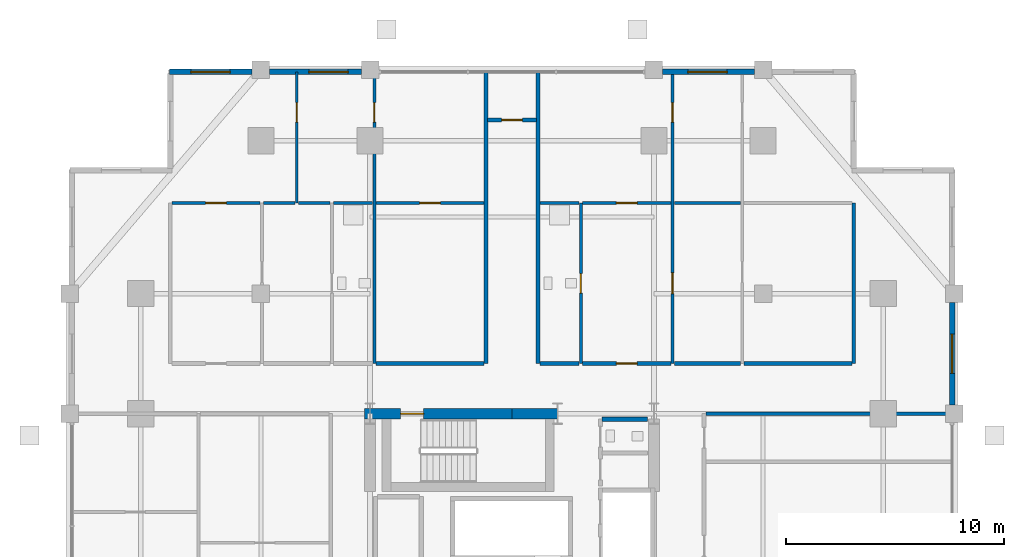
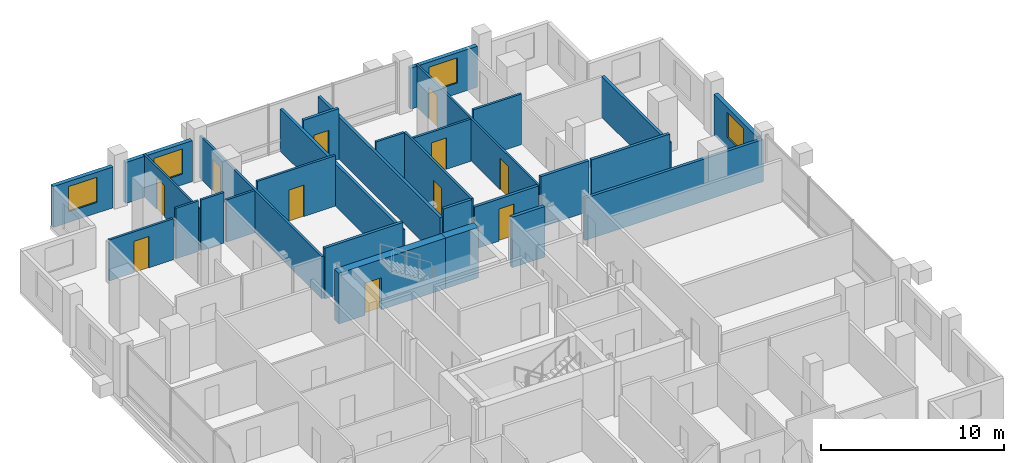
# One storey, part 17 of 20: 29 walls, 11 doors, 4 windows, 15 openings.
"""IFC4 building model written with IfcOpenShell, lengths in metres."""

from ifc_helpers import new_model, si_unit, direction, frame, frame_2d, origin, place, context, subcontext, project, spatial, rectangle, extrude, material, layer, layer_set, type_object, element, fill, save


model = new_model("IFC4")

# Units and contexts
model_context = context("Model", 3, precision=1e-05, world=origin(), true_north=direction((0.0, 1.0)))
body_context = subcontext(model_context, "Body", "Model", "MODEL_VIEW")
ifc_project = project(units=[si_unit("LENGTHUNIT", "METRE"), si_unit("AREAUNIT", "SQUARE_METRE"), si_unit("VOLUMEUNIT", "CUBIC_METRE"), si_unit("PLANEANGLEUNIT", "RADIAN"), si_unit("MASSUNIT", "GRAM", prefix="KILO")], contexts=[model_context])

# Site, building, storey
site_placement = place(None, origin())
site = spatial("IfcSite", under=ifc_project, at=site_placement, CompositionType="ELEMENT")
building_placement = place(site_placement, origin())
building = spatial("IfcBuilding", under=site, at=building_placement, Name="Barlavira Tower and Art Museum", CompositionType="ELEMENT")
storey_placement = place(building_placement, frame((0.0, 0.0, 136.800048828125)))
storey = spatial("IfcBuildingStorey", under=building, at=storey_placement, Name="L34", CompositionType="ELEMENT", Elevation=136.800048828125)

# Wall, opening, door
ifc_material_1 = material(Name="Gypsum acoustic stud partition", Category="gypsum")
ifc_layer_1 = layer(ifc_material_1, 0.1201171875, Name="Gypsum acoustic stud partition")
ifc_layer_set_1 = layer_set([ifc_layer_1], Name="Gypsum acoustic stud partition")
wall_type_1 = type_object("IfcWallType", Name="Apartment Internal Acoustic Partition 120", PredefinedType="PARTITIONING", material=ifc_layer_set_1)
wall_1_placement = place(storey_placement, frame((-9.85009765625, 17.14990234375, 0.0), z_axis=(0.0, 0.0, 1.0), x_axis=(0.0, 1.0, 0.0)))
wall_1 = element("IfcWall", 1, at=wall_1_placement, inside=storey, type_object=wall_type_1, Name="L34 Partition Wall 7", PredefinedType="PARTITIONING", context=body_context, shape_type="SweptSolid", body=[
    extrude(rectangle(XDim=6.0, YDim=0.1201171875, at=frame_2d((3.0, 0.0))), origin(), (0.0, 0.0, 1.0), 2.81591796875),
])
opening_1_placement = place(wall_1_placement, frame((3.701171875, 0.0, 0.0)))
opening_1 = element("IfcOpeningElement", 2, at=opening_1_placement, cuts=wall_1, Name="Opening D-01", PredefinedType="OPENING", context=body_context, shape_type="SweptSolid", body=[
    extrude(rectangle(XDim=0.89990234375, YDim=2.10009765625, at=frame_2d((0.449951171875, 1.050048828125))), frame((0.0, 0.070068359375, 0.0), z_axis=(0.0, -1.0, 0.0), x_axis=(1.0, 0.0, 0.0)), (0.0, 0.0, 1.0), 0.14013671875),
])
ifc_material_2 = material(Name="Engineered coastal hardwood", Category="wood")
door_type_1 = type_object("IfcDoorType", Name="Internal Bedroom Timber Flush Door 900x2100", OperationType="NOTDEFINED", PredefinedType="DOOR", material=ifc_material_2)
door_1_placement = place(opening_1_placement, origin())
door_1 = element("IfcDoor", 3, at=door_1_placement, inside=storey, type_object=door_type_1, Name="Apartment NW1 Bedroom 1 Door", OperationType="SINGLE_SWING_LEFT", OverallHeight=2.10009765625, OverallWidth=0.89990234375, PredefinedType="DOOR", context=body_context, shape_type="SweptSolid", body=[
    extrude(rectangle(XDim=0.89990234375, YDim=2.10009765625, at=frame_2d((0.449951171875, 1.050048828125))), frame((0.0, 0.02490234375, 0.0), z_axis=(0.0, -1.0, 0.0), x_axis=(1.0, 0.0, 0.0)), (0.0, 0.0, 1.0), 0.050048828125),
])
fill(opening_1, door_1)

# Wall, openings, doors
wall_2_placement = place(storey_placement, frame((7.35009765625, 9.800048828125, 0.0), z_axis=(0.0, 0.0, 1.0), x_axis=(0.0, 1.0, 0.0)))
wall_2 = element("IfcWall", 4, at=wall_2_placement, inside=storey, type_object=wall_type_1, Name="L34 Partition Wall 23", PredefinedType="PARTITIONING", context=body_context, shape_type="SweptSolid", body=[
    extrude(rectangle(XDim=13.349853515625, YDim=0.1201171875, at=frame_2d((6.6748046875, 0.0))), origin(), (0.0, 0.0, 1.0), 2.81591796875),
])
opening_2_placement = place(wall_2_placement, frame((3.195068359375, 0.0, 0.0)))
opening_2 = element("IfcOpeningElement", 5, at=opening_2_placement, cuts=wall_2, Name="Opening D-02", PredefinedType="OPENING", context=body_context, shape_type="SweptSolid", body=[
    extrude(rectangle(XDim=0.949951171875, YDim=2.10009765625, at=frame_2d((0.47509765625, 1.050048828125))), frame((0.0, 0.070068359375, 0.0), z_axis=(0.0, -1.0, 0.0), x_axis=(1.0, 0.0, 0.0)), (0.0, 0.0, 1.0), 0.14013671875),
])
opening_3_placement = place(wall_2_placement, frame((11.051025390625, 0.0, 0.0)))
opening_3 = element("IfcOpeningElement", 6, at=opening_3_placement, cuts=wall_2, Name="Opening D-01", PredefinedType="OPENING", context=body_context, shape_type="SweptSolid", body=[
    extrude(rectangle(XDim=0.89990234375, YDim=2.10009765625, at=frame_2d((0.449951171875, 1.050048828125))), frame((0.0, 0.070068359375, 0.0), z_axis=(0.0, -1.0, 0.0), x_axis=(1.0, 0.0, 0.0)), (0.0, 0.0, 1.0), 0.14013671875),
])
door_2_placement = place(opening_3_placement, origin())
door_2 = element("IfcDoor", 7, at=door_2_placement, inside=storey, type_object=door_type_1, Name="Apartment NE1 Bedroom 1 Door", OperationType="SINGLE_SWING_RIGHT", OverallHeight=2.10009765625, OverallWidth=0.89990234375, PredefinedType="DOOR", context=body_context, shape_type="SweptSolid", body=[
    extrude(rectangle(XDim=0.89990234375, YDim=2.10009765625, at=frame_2d((0.449951171875, 1.050048828125))), frame((0.0, 0.02490234375, 0.0), z_axis=(0.0, -1.0, 0.0), x_axis=(1.0, 0.0, 0.0)), (0.0, 0.0, 1.0), 0.050048828125),
])
fill(opening_3, door_2)
door_type_2 = type_object("IfcDoorType", Name="Living and Salon Glazed-Leaf Door 950x2100", OperationType="NOTDEFINED", PredefinedType="DOOR", material=ifc_material_2)
door_3_placement = place(opening_2_placement, origin())
door_3 = element("IfcDoor", 8, at=door_3_placement, inside=storey, type_object=door_type_2, Name="Apartment NE1 Kitchen Door", OperationType="SINGLE_SWING_LEFT", OverallHeight=2.10009765625, OverallWidth=0.949951171875, PredefinedType="DOOR", context=body_context, shape_type="SweptSolid", body=[
    extrude(rectangle(XDim=0.949951171875, YDim=2.10009765625, at=frame_2d((0.47509765625, 1.050048828125))), frame((0.0, 0.02490234375, 0.0), z_axis=(0.0, -1.0, 0.0), x_axis=(1.0, 0.0, 0.0)), (0.0, 0.0, 1.0), 0.050048828125),
])
fill(opening_2, door_3)

# Wall, opening, door
ifc_material_3 = material(Name="Concrete C60", Category="concrete")
ifc_layer_2 = layer(ifc_material_3, 0.5, Name="Concrete C60")
ifc_layer_set_2 = layer_set([ifc_layer_2], Name="Concrete C60")
wall_type_2 = type_object("IfcWallType", Name="Core Structural Shear Wall 500 Concrete C60", PredefinedType="SHEAR", material=ifc_layer_set_2)
wall_3_placement = place(storey_placement, frame((-6.75, 7.5, 0.0), z_axis=(0.0, 0.0, 1.0), x_axis=(1.0, 0.0, 0.0)))
wall_3 = element("IfcWall", 9, at=wall_3_placement, inside=storey, type_object=wall_type_2, Name="L34 Core Shear Wall CS-NW", PredefinedType="SHEAR", context=body_context, shape_type="SweptSolid", body=[
    extrude(rectangle(XDim=6.75, YDim=0.5, at=frame_2d((3.375, 0.0))), origin(), (0.0, 0.0, 1.0), 3.3798828125),
])
opening_4_placement = place(wall_3_placement, frame((1.64990234375, 0.0, 0.0)))
opening_4 = element("IfcOpeningElement", 10, at=opening_4_placement, cuts=wall_3, Name="Opening FD-90", PredefinedType="OPENING", context=body_context, shape_type="SweptSolid", body=[
    extrude(rectangle(XDim=1.050048828125, YDim=2.14990234375, at=frame_2d((0.52490234375, 1.074951171875))), frame((0.0, 0.260009765625, 0.0), z_axis=(0.0, -1.0, 0.0), x_axis=(1.0, 0.0, 0.0)), (0.0, 0.0, 1.0), 0.52001953125),
])
ifc_material_4 = material(Name="Brushed stainless steel", Category="steel")
door_type_3 = type_object("IfcDoorType", Name="Stair and Refuge Fire Door 1050x2150 FD90S", OperationType="NOTDEFINED", PredefinedType="DOOR", material=ifc_material_4)
door_4_placement = place(opening_4_placement, origin())
door_4 = element("IfcDoor", 11, at=door_4_placement, inside=storey, type_object=door_type_3, Name="L34 Stair ST-T2 Fire Door", OperationType="SINGLE_SWING_LEFT", OverallHeight=2.14990234375, OverallWidth=1.050048828125, PredefinedType="DOOR", context=body_context, shape_type="SweptSolid", body=[
    extrude(rectangle(XDim=1.050048828125, YDim=2.14990234375, at=frame_2d((0.52490234375, 1.074951171875))), frame((0.0, 0.02490234375, 0.0), z_axis=(0.0, -1.0, 0.0), x_axis=(1.0, 0.0, 0.0)), (0.0, 0.0, 1.0), 0.050048828125),
])
fill(opening_4, door_4)

# Walls
wall_4_placement = place(storey_placement, frame((0.0, 7.5, 0.0), z_axis=(0.0, 0.0, 1.0), x_axis=(1.0, 0.0, 0.0)))
element("IfcWall", 12, at=wall_4_placement, inside=storey, type_object=wall_type_2, Name="L34 Core Shear Wall CS-EN", PredefinedType="SHEAR", context=body_context, shape_type="SweptSolid", body=[
    extrude(rectangle(XDim=2.080078125, YDim=0.5, at=frame_2d((1.0400390625, 0.0))), origin(), (0.0, 0.0, 1.0), 3.3798828125),
])
ifc_material_5 = material(Name="Autoclaved aerated concrete masonry", Category="masonry")
ifc_layer_3 = layer(ifc_material_5, 0.199951171875, Name="Autoclaved aerated concrete masonry")
ifc_layer_set_3 = layer_set([ifc_layer_3], Name="Autoclaved aerated concrete masonry")
wall_type_3 = type_object("IfcWallType", Name="Fire Compartment and Shaft Wall 200", PredefinedType="SOLIDWALL", material=ifc_layer_set_3)
wall_5_placement = place(storey_placement, frame((4.1298828125, 7.25, 0.0), z_axis=(0.0, 0.0, 1.0), x_axis=(1.0, 0.0, 0.0)))
element("IfcWall", 13, at=wall_5_placement, inside=storey, type_object=wall_type_3, Name="L34 Partition Wall 60", PredefinedType="SOLIDWALL", context=body_context, shape_type="SweptSolid", body=[
    extrude(rectangle(XDim=2.070068359375, YDim=0.199951171875, at=frame_2d((1.03515625, 0.0))), origin(), (0.0, 0.0, 1.0), 3.3798828125),
])
ifc_layer_4 = layer(ifc_material_1, 0.179931640625, Name="Gypsum acoustic stud partition")
ifc_layer_set_4 = layer_set([ifc_layer_4], Name="Gypsum acoustic stud partition")
wall_type_4 = type_object("IfcWallType", Name="Inter-Tenancy Party Partition Wall 180", PredefinedType="PARTITIONING", material=ifc_layer_set_4)
for number, where, z_axis, x_axis, name in (
    (14, (-1.199951171875, 9.800048828125, 0.0), (0.0, 0.0, 1.0), (0.0, 1.0, 0.0), "L34 Partition Wall 16"),
    (15, (1.199951171875, 9.800048828125, 0.0), (0.0, 0.0, 1.0), (0.0, 1.0, 0.0), "L34 Partition Wall 18"),
):
    element("IfcWall", number, at=place(storey_placement, frame(where, z_axis=z_axis, x_axis=x_axis)), inside=storey, type_object=wall_type_4, Name=name, PredefinedType="PARTITIONING", context=body_context, shape_type="SweptSolid", body=[
        extrude(rectangle(XDim=13.349853515625, YDim=0.179931640625, at=frame_2d((6.6748046875, 0.0))), origin(), (0.0, 0.0, 1.0), 2.81591796875),
    ])
wall_6_placement = place(storey_placement, frame((15.64990234375, 9.800048828125, 0.0), z_axis=(0.0, 0.0, 1.0), x_axis=(0.0, 1.0, 0.0)))
element("IfcWall", 16, at=wall_6_placement, inside=storey, type_object=wall_type_4, Name="L34 Partition Wall 28", PredefinedType="PARTITIONING", context=body_context, shape_type="SweptSolid", body=[
    extrude(rectangle(XDim=7.349853515625, YDim=0.179931640625, at=frame_2d((3.6748046875, 0.0))), origin(), (0.0, 0.0, 1.0), 2.73583984375),
])
wall_7_placement = place(storey_placement, frame((8.8798828125, 7.5, 0.0), z_axis=(0.0, 0.0, 1.0), x_axis=(1.0, 0.0, 0.0)))
element("IfcWall", 17, at=wall_7_placement, inside=storey, type_object=wall_type_4, Name="L34 Partition Wall 63", PredefinedType="PARTITIONING", context=body_context, shape_type="SweptSolid", body=[
    extrude(rectangle(XDim=11.27001953125, YDim=0.179931640625, at=frame_2d((5.635009765625, 0.0))), origin(), (0.0, 0.0, 1.0), 2.81591796875),
])
wall_8_placement = place(storey_placement, frame((-6.219970703125, 9.800048828125, 0.0), z_axis=(0.0, 0.0, 1.0), x_axis=(1.0, 0.0, 0.0)))
element("IfcWall", 18, at=wall_8_placement, inside=storey, type_object=wall_type_4, Name="L34 Partition Wall 67", PredefinedType="PARTITIONING", context=body_context, shape_type="SweptSolid", body=[
    extrude(rectangle(XDim=4.93994140625, YDim=0.179931640625, at=frame_2d((2.469970703125, 0.0))), origin(), (0.0, 0.0, 1.0), 3.3798828125),
])
wall_9_placement = place(storey_placement, frame((1.280029296875, 9.800048828125, 0.0), z_axis=(0.0, 0.0, 1.0), x_axis=(1.0, 0.0, 0.0)))
element("IfcWall", 19, at=wall_9_placement, inside=storey, type_object=wall_type_4, Name="L34 Partition Wall 68", PredefinedType="PARTITIONING", context=body_context, shape_type="SweptSolid", body=[
    extrude(rectangle(XDim=1.7900390625, YDim=0.179931640625, at=frame_2d((0.89501953125, 0.0))), origin(), (0.0, 0.0, 1.0), 3.3798828125),
])

# Wall, opening, door
wall_10_placement = place(storey_placement, frame((3.22998046875, 9.800048828125, 0.0), z_axis=(0.0, 0.0, 1.0), x_axis=(1.0, 0.0, 0.0)))
wall_10 = element("IfcWall", 20, at=wall_10_placement, inside=storey, type_object=wall_type_4, Name="L34 Partition Wall 69", PredefinedType="PARTITIONING", context=body_context, shape_type="SweptSolid", body=[
    extrude(rectangle(XDim=4.0400390625, YDim=0.179931640625, at=frame_2d((2.02001953125, 0.0))), origin(), (0.0, 0.0, 1.0), 2.81591796875),
])
opening_5_placement = place(wall_10_placement, frame((1.544921875, 0.0, 0.0)))
opening_5 = element("IfcOpeningElement", 21, at=opening_5_placement, cuts=wall_10, Name="Opening FD-60", PredefinedType="OPENING", context=body_context, shape_type="SweptSolid", body=[
    extrude(rectangle(XDim=0.949951171875, YDim=2.14990234375, at=frame_2d((0.47509765625, 1.074951171875))), frame((0.0, 0.10009765625, 0.0), z_axis=(0.0, -1.0, 0.0), x_axis=(1.0, 0.0, 0.0)), (0.0, 0.0, 1.0), 0.199951171875),
])
door_type_4 = type_object("IfcDoorType", Name="Apartment Entrance and Riser Fire Door 950x2150 FD60S", OperationType="NOTDEFINED", PredefinedType="DOOR", material=ifc_material_4)
door_5_placement = place(opening_5_placement, origin())
door_5 = element("IfcDoor", 22, at=door_5_placement, inside=storey, type_object=door_type_4, Name="Apartment Entrance Hall NE1 Door", OperationType="SINGLE_SWING_RIGHT", OverallHeight=2.14990234375, OverallWidth=0.949951171875, PredefinedType="DOOR", context=body_context, shape_type="SweptSolid", body=[
    extrude(rectangle(XDim=0.949951171875, YDim=2.14990234375, at=frame_2d((0.47509765625, 1.074951171875))), frame((0.0, 0.02490234375, 0.0), z_axis=(0.0, -1.0, 0.0), x_axis=(1.0, 0.0, 0.0)), (0.0, 0.0, 1.0), 0.050048828125),
])
fill(opening_5, door_5)

# Walls
wall_11_placement = place(storey_placement, frame((7.429931640625, 9.800048828125, 0.0), z_axis=(0.0, 0.0, 1.0), x_axis=(1.0, 0.0, 0.0)))
element("IfcWall", 23, at=wall_11_placement, inside=storey, type_object=wall_type_4, Name="L34 Partition Wall 70", PredefinedType="PARTITIONING", context=body_context, shape_type="SweptSolid", body=[
    extrude(rectangle(XDim=3.0400390625, YDim=0.179931640625, at=frame_2d((1.52001953125, 0.0))), origin(), (0.0, 0.0, 1.0), 3.3798828125),
])
wall_12_placement = place(storey_placement, frame((10.6298828125, 9.800048828125, 0.0), z_axis=(0.0, 0.0, 1.0), x_axis=(1.0, 0.0, 0.0)))
element("IfcWall", 24, at=wall_12_placement, inside=storey, type_object=wall_type_4, Name="L34 Partition Wall 71", PredefinedType="PARTITIONING", context=body_context, shape_type="SweptSolid", body=[
    extrude(rectangle(XDim=4.940185546875, YDim=0.179931640625, at=frame_2d((2.47021484375, 0.0))), origin(), (0.0, 0.0, 1.0), 3.3798828125),
])

# Wall, opening, door
wall_13_placement = place(storey_placement, frame((-1.1201171875, 20.949951171875, 0.0), z_axis=(0.0, 0.0, 1.0), x_axis=(1.0, 0.0, 0.0)))
wall_13 = element("IfcWall", 25, at=wall_13_placement, inside=storey, type_object=wall_type_4, Name="L34 Partition Wall 81", PredefinedType="PARTITIONING", context=body_context, shape_type="SweptSolid", body=[
    extrude(rectangle(XDim=2.240234375, YDim=0.179931640625, at=frame_2d((1.1201171875, 0.0))), origin(), (0.0, 0.0, 1.0), 3.3798828125),
])
opening_6_placement = place(wall_13_placement, frame((0.64501953125, 0.0, 0.0)))
opening_6 = element("IfcOpeningElement", 26, at=opening_6_placement, cuts=wall_13, Name="Opening FD-60", PredefinedType="OPENING", context=body_context, shape_type="SweptSolid", body=[
    extrude(rectangle(XDim=0.949951171875, YDim=2.14990234375, at=frame_2d((0.47509765625, 1.074951171875))), frame((0.0, 0.10009765625, 0.0), z_axis=(0.0, -1.0, 0.0), x_axis=(1.0, 0.0, 0.0)), (0.0, 0.0, 1.0), 0.199951171875),
])
door_6_placement = place(opening_6_placement, origin())
door_6 = element("IfcDoor", 27, at=door_6_placement, inside=storey, type_object=door_type_4, Name="L34 North Ocean Alcove Door", OperationType="SINGLE_SWING_LEFT", OverallHeight=2.14990234375, OverallWidth=0.949951171875, PredefinedType="DOOR", context=body_context, shape_type="SweptSolid", body=[
    extrude(rectangle(XDim=0.949951171875, YDim=2.14990234375, at=frame_2d((0.47509765625, 1.074951171875))), frame((0.0, 0.02490234375, 0.0), z_axis=(0.0, -1.0, 0.0), x_axis=(1.0, 0.0, 0.0)), (0.0, 0.0, 1.0), 0.050048828125),
])
fill(opening_6, door_6)

ifc_layer_5 = layer(ifc_material_1, 0.139892578125, Name="Gypsum acoustic stud partition")
ifc_layer_set_5 = layer_set([ifc_layer_5], Name="Gypsum acoustic stud partition")
wall_type_5 = type_object("IfcWallType", Name="Moisture-Resistant Bathroom Partition 140", PredefinedType="PARTITIONING", material=ifc_layer_set_5)
wall_14_placement = place(storey_placement, frame((-6.300048828125, 9.800048828125, 0.0), z_axis=(0.0, 0.0, 1.0), x_axis=(0.0, 1.0, 0.0)))
wall_14 = element("IfcWall", 28, at=wall_14_placement, inside=storey, type_object=wall_type_5, Name="L34 Partition Wall 12", PredefinedType="PARTITIONING", context=body_context, shape_type="SweptSolid", body=[
    extrude(rectangle(XDim=13.349853515625, YDim=0.139892578125, at=frame_2d((6.6748046875, 0.0))), origin(), (0.0, 0.0, 1.0), 2.81591796875),
])
opening_7_placement = place(wall_14_placement, frame((11.051025390625, 0.0, 0.0)))
opening_7 = element("IfcOpeningElement", 29, at=opening_7_placement, cuts=wall_14, Name="Opening D-01", PredefinedType="OPENING", context=body_context, shape_type="SweptSolid", body=[
    extrude(rectangle(XDim=0.89990234375, YDim=2.10009765625, at=frame_2d((0.449951171875, 1.050048828125))), frame((0.0, 0.080078125, 0.0), z_axis=(0.0, -1.0, 0.0), x_axis=(1.0, 0.0, 0.0)), (0.0, 0.0, 1.0), 0.159912109375),
])
door_7_placement = place(opening_7_placement, origin())
door_7 = element("IfcDoor", 30, at=door_7_placement, inside=storey, type_object=door_type_1, Name="Apartment NW1 Bedroom 2 Door", OperationType="SINGLE_SWING_RIGHT", OverallHeight=2.10009765625, OverallWidth=0.89990234375, PredefinedType="DOOR", context=body_context, shape_type="SweptSolid", body=[
    extrude(rectangle(XDim=0.89990234375, YDim=2.10009765625, at=frame_2d((0.449951171875, 1.050048828125))), frame((0.0, 0.02490234375, 0.0), z_axis=(0.0, -1.0, 0.0), x_axis=(1.0, 0.0, 0.0)), (0.0, 0.0, 1.0), 0.050048828125),
])
fill(opening_7, door_7)

wall_15_placement = place(storey_placement, frame((3.14990234375, 9.800048828125, 0.0), z_axis=(0.0, 0.0, 1.0), x_axis=(0.0, 1.0, 0.0)))
wall_15 = element("IfcWall", 31, at=wall_15_placement, inside=storey, type_object=wall_type_5, Name="L34 Partition Wall 20", PredefinedType="PARTITIONING", context=body_context, shape_type="SweptSolid", body=[
    extrude(rectangle(XDim=7.349853515625, YDim=0.139892578125, at=frame_2d((3.6748046875, 0.0))), origin(), (0.0, 0.0, 1.0), 3.3798828125),
])
opening_8_placement = place(wall_15_placement, frame((3.219970703125, 0.0, 0.0)))
opening_8 = element("IfcOpeningElement", 32, at=opening_8_placement, cuts=wall_15, Name="Opening D-WC", PredefinedType="OPENING", context=body_context, shape_type="SweptSolid", body=[
    extrude(rectangle(XDim=0.89990234375, YDim=2.10009765625, at=frame_2d((0.449951171875, 1.050048828125))), frame((0.0, 0.080078125, 0.0), z_axis=(0.0, -1.0, 0.0), x_axis=(1.0, 0.0, 0.0)), (0.0, 0.0, 1.0), 0.159912109375),
])
door_type_5 = type_object("IfcDoorType", Name="Accessible Bathroom Flush Door 900x2100", OperationType="NOTDEFINED", PredefinedType="DOOR", material=ifc_material_2)
door_8_placement = place(opening_8_placement, origin())
door_8 = element("IfcDoor", 33, at=door_8_placement, inside=storey, type_object=door_type_5, Name="Apartment NE1 Hall Bathroom Door", OperationType="SINGLE_SWING_LEFT", OverallHeight=2.10009765625, OverallWidth=0.89990234375, PredefinedType="DOOR", context=body_context, shape_type="SweptSolid", body=[
    extrude(rectangle(XDim=0.89990234375, YDim=2.10009765625, at=frame_2d((0.449951171875, 1.050048828125))), frame((0.0, 0.02490234375, 0.0), z_axis=(0.0, -1.0, 0.0), x_axis=(1.0, 0.0, 0.0)), (0.0, 0.0, 1.0), 0.050048828125),
])
fill(opening_8, door_8)

wall_16_placement = place(storey_placement, frame((-15.570068359375, 17.14990234375, 0.0), z_axis=(0.0, 0.0, 1.0), x_axis=(1.0, 0.0, 0.0)))
wall_16 = element("IfcWall", 34, at=wall_16_placement, inside=storey, type_object=wall_type_5, Name="L34 Partition Wall 72", PredefinedType="PARTITIONING", context=body_context, shape_type="SweptSolid", body=[
    extrude(rectangle(XDim=4.0400390625, YDim=0.139892578125, at=frame_2d((2.02001953125, 0.0))), origin(), (0.0, 0.0, 1.0), 2.73583984375),
])
opening_9_placement = place(wall_16_placement, frame((1.544921875, 0.0, 0.0)))
opening_9 = element("IfcOpeningElement", 35, at=opening_9_placement, cuts=wall_16, Name="Opening D-02", PredefinedType="OPENING", context=body_context, shape_type="SweptSolid", body=[
    extrude(rectangle(XDim=0.949951171875, YDim=2.10009765625, at=frame_2d((0.47509765625, 1.050048828125))), frame((0.0, 0.080078125, 0.0), z_axis=(0.0, -1.0, 0.0), x_axis=(1.0, 0.0, 0.0)), (0.0, 0.0, 1.0), 0.159912109375),
])
door_9_placement = place(opening_9_placement, origin())
door_9 = element("IfcDoor", 36, at=door_9_placement, inside=storey, type_object=door_type_2, Name="Apartment NW1 Living Lounge Door", OperationType="SINGLE_SWING_RIGHT", OverallHeight=2.10009765625, OverallWidth=0.949951171875, PredefinedType="DOOR", context=body_context, shape_type="SweptSolid", body=[
    extrude(rectangle(XDim=0.949951171875, YDim=2.10009765625, at=frame_2d((0.47509765625, 1.050048828125))), frame((0.0, 0.02490234375, 0.0), z_axis=(0.0, -1.0, 0.0), x_axis=(1.0, 0.0, 0.0)), (0.0, 0.0, 1.0), 0.050048828125),
])
fill(opening_9, door_9)

# Walls
wall_17_placement = place(storey_placement, frame((-11.3701171875, 17.14990234375, 0.0), z_axis=(0.0, 0.0, 1.0), x_axis=(1.0, 0.0, 0.0)))
element("IfcWall", 37, at=wall_17_placement, inside=storey, type_object=wall_type_5, Name="L34 Partition Wall 73", PredefinedType="PARTITIONING", context=body_context, shape_type="SweptSolid", body=[
    extrude(rectangle(XDim=1.440185546875, YDim=0.139892578125, at=frame_2d((0.72021484375, 0.0))), origin(), (0.0, 0.0, 1.0), 3.3798828125),
])
wall_18_placement = place(storey_placement, frame((-9.77001953125, 17.14990234375, 0.0), z_axis=(0.0, 0.0, 1.0), x_axis=(1.0, 0.0, 0.0)))
element("IfcWall", 38, at=wall_18_placement, inside=storey, type_object=wall_type_5, Name="L34 Partition Wall 74", PredefinedType="PARTITIONING", context=body_context, shape_type="SweptSolid", body=[
    extrude(rectangle(XDim=1.43994140625, YDim=0.139892578125, at=frame_2d((0.719970703125, 0.0))), origin(), (0.0, 0.0, 1.0), 3.3798828125),
])
wall_19_placement = place(storey_placement, frame((-8.169921875, 17.14990234375, 0.0), z_axis=(0.0, 0.0, 1.0), x_axis=(1.0, 0.0, 0.0)))
element("IfcWall", 39, at=wall_19_placement, inside=storey, type_object=wall_type_5, Name="L34 Partition Wall 75", PredefinedType="PARTITIONING", context=body_context, shape_type="SweptSolid", body=[
    extrude(rectangle(XDim=1.7900390625, YDim=0.139892578125, at=frame_2d((0.89501953125, 0.0))), origin(), (0.0, 0.0, 1.0), 2.81591796875),
])

# Wall, opening, door
wall_20_placement = place(storey_placement, frame((-6.219970703125, 17.14990234375, 0.0), z_axis=(0.0, 0.0, 1.0), x_axis=(1.0, 0.0, 0.0)))
wall_20 = element("IfcWall", 40, at=wall_20_placement, inside=storey, type_object=wall_type_5, Name="L34 Partition Wall 76", PredefinedType="PARTITIONING", context=body_context, shape_type="SweptSolid", body=[
    extrude(rectangle(XDim=4.93994140625, YDim=0.139892578125, at=frame_2d((2.469970703125, 0.0))), origin(), (0.0, 0.0, 1.0), 3.3798828125),
])
opening_10_placement = place(wall_20_placement, frame((1.9951171875, 0.0, 0.0)))
opening_10 = element("IfcOpeningElement", 41, at=opening_10_placement, cuts=wall_20, Name="Opening D-02", PredefinedType="OPENING", context=body_context, shape_type="SweptSolid", body=[
    extrude(rectangle(XDim=0.949951171875, YDim=2.10009765625, at=frame_2d((0.47509765625, 1.050048828125))), frame((0.0, 0.080078125, 0.0), z_axis=(0.0, -1.0, 0.0), x_axis=(1.0, 0.0, 0.0)), (0.0, 0.0, 1.0), 0.159912109375),
])
door_10_placement = place(opening_10_placement, origin())
door_10 = element("IfcDoor", 42, at=door_10_placement, inside=storey, type_object=door_type_2, Name="Apartment NW1 Dining Salon Door", OperationType="SINGLE_SWING_LEFT", OverallHeight=2.10009765625, OverallWidth=0.949951171875, PredefinedType="DOOR", context=body_context, shape_type="SweptSolid", body=[
    extrude(rectangle(XDim=0.949951171875, YDim=2.10009765625, at=frame_2d((0.47509765625, 1.050048828125))), frame((0.0, 0.02490234375, 0.0), z_axis=(0.0, -1.0, 0.0), x_axis=(1.0, 0.0, 0.0)), (0.0, 0.0, 1.0), 0.050048828125),
])
fill(opening_10, door_10)

# Wall
wall_21_placement = place(storey_placement, frame((1.280029296875, 17.14990234375, 0.0), z_axis=(0.0, 0.0, 1.0), x_axis=(1.0, 0.0, 0.0)))
element("IfcWall", 43, at=wall_21_placement, inside=storey, type_object=wall_type_5, Name="L34 Partition Wall 77", PredefinedType="PARTITIONING", context=body_context, shape_type="SweptSolid", body=[
    extrude(rectangle(XDim=1.7900390625, YDim=0.139892578125, at=frame_2d((0.89501953125, 0.0))), origin(), (0.0, 0.0, 1.0), 3.3798828125),
])

# Wall, opening, door
wall_22_placement = place(storey_placement, frame((3.22998046875, 17.14990234375, 0.0), z_axis=(0.0, 0.0, 1.0), x_axis=(1.0, 0.0, 0.0)))
wall_22 = element("IfcWall", 44, at=wall_22_placement, inside=storey, type_object=wall_type_5, Name="L34 Partition Wall 78", PredefinedType="PARTITIONING", context=body_context, shape_type="SweptSolid", body=[
    extrude(rectangle(XDim=4.0400390625, YDim=0.139892578125, at=frame_2d((2.02001953125, 0.0))), origin(), (0.0, 0.0, 1.0), 2.81591796875),
])
opening_11_placement = place(wall_22_placement, frame((1.544921875, 0.0, 0.0)))
opening_11 = element("IfcOpeningElement", 45, at=opening_11_placement, cuts=wall_22, Name="Opening D-02", PredefinedType="OPENING", context=body_context, shape_type="SweptSolid", body=[
    extrude(rectangle(XDim=0.949951171875, YDim=2.10009765625, at=frame_2d((0.47509765625, 1.050048828125))), frame((0.0, 0.080078125, 0.0), z_axis=(0.0, -1.0, 0.0), x_axis=(1.0, 0.0, 0.0)), (0.0, 0.0, 1.0), 0.159912109375),
])
door_11_placement = place(opening_11_placement, origin())
door_11 = element("IfcDoor", 46, at=door_11_placement, inside=storey, type_object=door_type_2, Name="Apartment NE1 Living Lounge Door", OperationType="SINGLE_SWING_LEFT", OverallHeight=2.10009765625, OverallWidth=0.949951171875, PredefinedType="DOOR", context=body_context, shape_type="SweptSolid", body=[
    extrude(rectangle(XDim=0.949951171875, YDim=2.10009765625, at=frame_2d((0.47509765625, 1.050048828125))), frame((0.0, 0.02490234375, 0.0), z_axis=(0.0, -1.0, 0.0), x_axis=(1.0, 0.0, 0.0)), (0.0, 0.0, 1.0), 0.050048828125),
])
fill(opening_11, door_11)

# Wall
wall_23_placement = place(storey_placement, frame((7.429931640625, 17.14990234375, 0.0), z_axis=(0.0, 0.0, 1.0), x_axis=(1.0, 0.0, 0.0)))
element("IfcWall", 47, at=wall_23_placement, inside=storey, type_object=wall_type_5, Name="L34 Partition Wall 79", PredefinedType="PARTITIONING", context=body_context, shape_type="SweptSolid", body=[
    extrude(rectangle(XDim=3.0400390625, YDim=0.139892578125, at=frame_2d((1.52001953125, 0.0))), origin(), (0.0, 0.0, 1.0), 3.3798828125),
])

# Wall, opening, window
ifc_material_6 = material(Name="Precast concrete C40", Category="concrete")
ifc_layer_6 = layer(ifc_material_6, 0.25, Name="Precast concrete C40")
ifc_layer_set_6 = layer_set([ifc_layer_6], Name="Precast concrete C40")
wall_type_6 = type_object("IfcWallType", Name="Notched Corner Spandrel Wall 250 Precast Concrete C40", PredefinedType="SOLIDWALL", material=ifc_layer_set_6)
wall_24_placement = place(storey_placement, frame((11.10498046875, 23.14990234375, 0.0), z_axis=(0.0, 0.0, 1.0), x_axis=(-1.0, 0.0, 0.0)))
wall_24 = element("IfcWall", 48, at=wall_24_placement, inside=storey, type_object=wall_type_6, Name="L34 Coastal Facade Pier Wall CW2-L34-N-2", PredefinedType="SOLIDWALL", context=body_context, shape_type="SweptSolid", body=[
    extrude(rectangle(XDim=4.2099609375, YDim=0.25, at=frame_2d((2.10498046875, 0.0))), origin(), (0.0, 0.0, 1.0), 2.73583984375),
])
opening_12_placement = place(wall_24_placement, frame((1.2548828125, 0.0, 0.719970703125)))
opening_12 = element("IfcOpeningElement", 49, at=opening_12_placement, cuts=wall_24, Name="Opening WN-01", PredefinedType="OPENING", context=body_context, shape_type="SweptSolid", body=[
    extrude(rectangle(XDim=1.800048828125, YDim=1.679931640625, at=frame_2d((0.89990234375, 0.83984375))), frame((0.0, 0.135009765625, 0.0), z_axis=(0.0, -1.0, 0.0), x_axis=(1.0, 0.0, 0.0)), (0.0, 0.0, 1.0), 0.27001953125),
])
ifc_material_7 = material(Name="Low-iron coastal laminated glass", Category="glass")
window_type = type_object("IfcWindowType", Name="Recessed Notch Corner Punch Window 1800x1680", PartitioningType="SINGLE_PANEL", PredefinedType="WINDOW", material=ifc_material_7)
window_1_placement = place(opening_12_placement, origin())
window_1 = element("IfcWindow", 50, at=window_1_placement, inside=storey, type_object=window_type, Name="L34 Punched Facade Window EWP-CW2-L34-N-2-1", OverallHeight=1.679931640625, OverallWidth=1.800048828125, PartitioningType="SINGLE_PANEL", PredefinedType="WINDOW", context=body_context, shape_type="SweptSolid", body=[
    extrude(rectangle(XDim=1.800048828125, YDim=1.679931640625, at=frame_2d((0.89990234375, 0.83984375))), frame((0.0, 0.030029296875, 0.0), z_axis=(0.0, -1.0, 0.0), x_axis=(1.0, 0.0, 0.0)), (0.0, 0.0, 1.0), 0.06005859375),
])
fill(opening_12, window_1)

wall_25_placement = place(storey_placement, frame((-6.89501953125, 23.14990234375, 0.0), z_axis=(0.0, 0.0, 1.0), x_axis=(-1.0, 0.0, 0.0)))
wall_25 = element("IfcWall", 51, at=wall_25_placement, inside=storey, type_object=wall_type_6, Name="L34 Coastal Facade Pier Wall CW2-L34-N-4", PredefinedType="SOLIDWALL", context=body_context, shape_type="SweptSolid", body=[
    extrude(rectangle(XDim=4.2099609375, YDim=0.25, at=frame_2d((2.10498046875, 0.0))), origin(), (0.0, 0.0, 1.0), 2.73583984375),
])
opening_13_placement = place(wall_25_placement, frame((0.610107421875, 0.0, 0.719970703125)))
opening_13 = element("IfcOpeningElement", 52, at=opening_13_placement, cuts=wall_25, Name="Opening WN-01", PredefinedType="OPENING", context=body_context, shape_type="SweptSolid", body=[
    extrude(rectangle(XDim=1.800048828125, YDim=1.679931640625, at=frame_2d((0.89990234375, 0.83984375))), frame((0.0, 0.135009765625, 0.0), z_axis=(0.0, -1.0, 0.0), x_axis=(1.0, 0.0, 0.0)), (0.0, 0.0, 1.0), 0.27001953125),
])
window_2_placement = place(opening_13_placement, origin())
window_2 = element("IfcWindow", 53, at=window_2_placement, inside=storey, type_object=window_type, Name="L34 Punched Facade Window EWP-CW2-L34-N-4-1", OverallHeight=1.679931640625, OverallWidth=1.800048828125, PartitioningType="SINGLE_PANEL", PredefinedType="WINDOW", context=body_context, shape_type="SweptSolid", body=[
    extrude(rectangle(XDim=1.800048828125, YDim=1.679931640625, at=frame_2d((0.89990234375, 0.83984375))), frame((0.0, 0.030029296875, 0.0), z_axis=(0.0, -1.0, 0.0), x_axis=(1.0, 0.0, 0.0)), (0.0, 0.0, 1.0), 0.06005859375),
])
fill(opening_13, window_2)

wall_26_placement = place(storey_placement, frame((-11.89501953125, 23.14990234375, 0.0), z_axis=(0.0, 0.0, 1.0), x_axis=(-1.0, 0.0, 0.0)))
wall_26 = element("IfcWall", 54, at=wall_26_placement, inside=storey, type_object=wall_type_6, Name="L34 Coastal Facade Pier Wall CW2-L34-N-5", PredefinedType="SOLIDWALL", context=body_context, shape_type="SweptSolid", body=[
    extrude(rectangle(XDim=3.780029296875, YDim=0.25, at=frame_2d((1.89013671875, 0.0))), origin(), (0.0, 0.0, 1.0), 2.73583984375),
])
opening_14_placement = place(wall_26_placement, frame((1.012939453125, 0.0, 0.719970703125)))
opening_14 = element("IfcOpeningElement", 55, at=opening_14_placement, cuts=wall_26, Name="Opening WN-01", PredefinedType="OPENING", context=body_context, shape_type="SweptSolid", body=[
    extrude(rectangle(XDim=1.800048828125, YDim=1.679931640625, at=frame_2d((0.89990234375, 0.83984375))), frame((0.0, 0.135009765625, 0.0), z_axis=(0.0, -1.0, 0.0), x_axis=(1.0, 0.0, 0.0)), (0.0, 0.0, 1.0), 0.27001953125),
])
window_3_placement = place(opening_14_placement, origin())
window_3 = element("IfcWindow", 56, at=window_3_placement, inside=storey, type_object=window_type, Name="L34 Punched Facade Window EWP-CW2-L34-N-5-1", OverallHeight=1.679931640625, OverallWidth=1.800048828125, PartitioningType="SINGLE_PANEL", PredefinedType="WINDOW", context=body_context, shape_type="SweptSolid", body=[
    extrude(rectangle(XDim=1.800048828125, YDim=1.679931640625, at=frame_2d((0.89990234375, 0.83984375))), frame((0.0, 0.030029296875, 0.0), z_axis=(0.0, -1.0, 0.0), x_axis=(1.0, 0.0, 0.0)), (0.0, 0.0, 1.0), 0.06005859375),
])
fill(opening_14, window_3)

wall_27_placement = place(storey_placement, frame((20.14990234375, 7.89501953125, 0.0), z_axis=(0.0, 0.0, 1.0), x_axis=(0.0, 1.0, 0.0)))
wall_27 = element("IfcWall", 57, at=wall_27_placement, inside=storey, type_object=wall_type_6, Name="L34 Coastal Facade Pier Wall CW2-L34-E-4", PredefinedType="SOLIDWALL", context=body_context, shape_type="SweptSolid", body=[
    extrude(rectangle(XDim=4.7099609375, YDim=0.25, at=frame_2d((2.35498046875, 0.0))), origin(), (0.0, 0.0, 1.0), 2.73583984375),
])
opening_15_placement = place(wall_27_placement, frame((1.455078125, 0.0, 0.719970703125)))
opening_15 = element("IfcOpeningElement", 58, at=opening_15_placement, cuts=wall_27, Name="Opening WN-01", PredefinedType="OPENING", context=body_context, shape_type="SweptSolid", body=[
    extrude(rectangle(XDim=1.800048828125, YDim=1.679931640625, at=frame_2d((0.89990234375, 0.83984375))), frame((0.0, 0.135009765625, 0.0), z_axis=(0.0, -1.0, 0.0), x_axis=(1.0, 0.0, 0.0)), (0.0, 0.0, 1.0), 0.27001953125),
])
window_4_placement = place(opening_15_placement, origin())
window_4 = element("IfcWindow", 59, at=window_4_placement, inside=storey, type_object=window_type, Name="L34 Punched Facade Window EWP-CW2-L34-E-4-1", OverallHeight=1.679931640625, OverallWidth=1.800048828125, PartitioningType="SINGLE_PANEL", PredefinedType="WINDOW", context=body_context, shape_type="SweptSolid", body=[
    extrude(rectangle(XDim=1.800048828125, YDim=1.679931640625, at=frame_2d((0.89990234375, 0.83984375))), frame((0.0, 0.030029296875, 0.0), z_axis=(0.0, -1.0, 0.0), x_axis=(1.0, 0.0, 0.0)), (0.0, 0.0, 1.0), 0.06005859375),
])
fill(opening_15, window_4)

save(model, "model.ifc")
